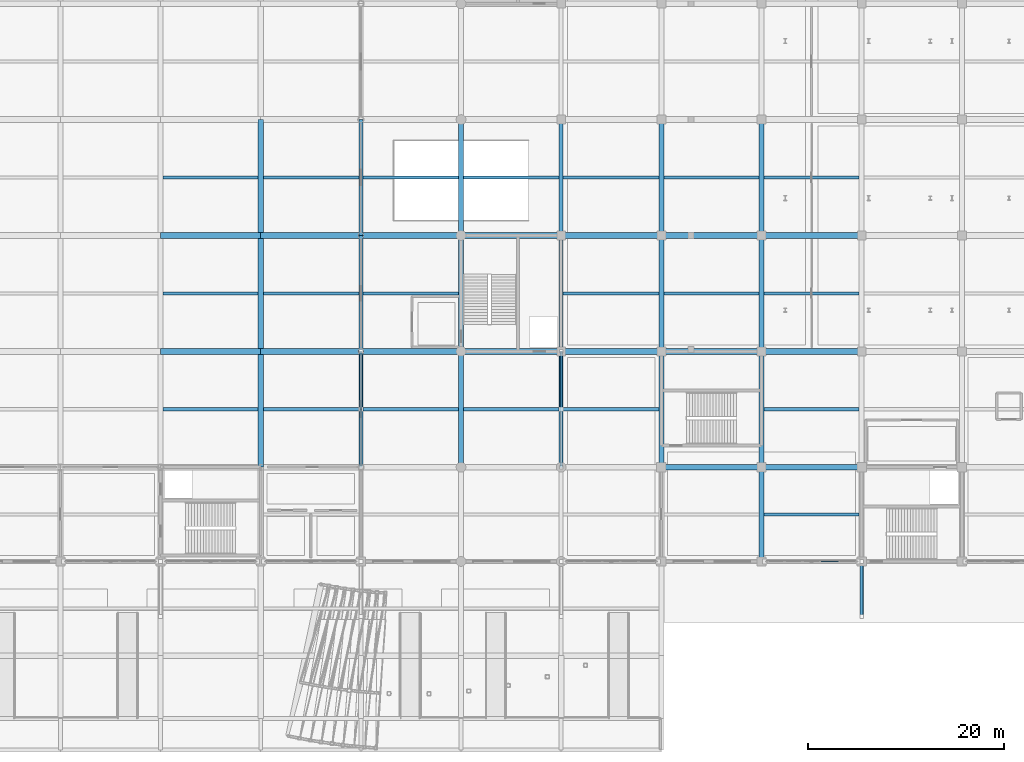
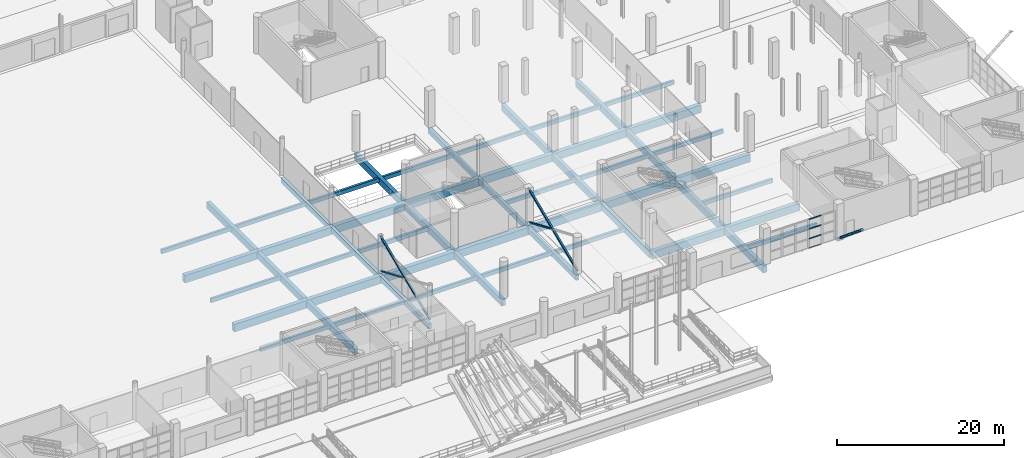
# One storey, part 57 of 124: 55 beams, 9 members, 1 element without a shape of its own.
"""IFC4 building model written with IfcOpenShell, lengths in metres."""

from ifc_helpers import new_model, si_unit, direction, frame, origin, origin_2d, place, context, subcontext, project, spatial, rectangle, hollow_rectangle, hollow_circle, extrude, material, material_profile, profile_set, type_object, element, aggregate, save


model = new_model("IFC4")

# Units and contexts
model_context = context("Model", 3, precision=1e-05, world=origin(), true_north=direction((0.0, 1.0)))
body_context = subcontext(model_context, "Body", "Model", "MODEL_VIEW")
ifc_project = project(units=[si_unit("LENGTHUNIT", "METRE"), si_unit("AREAUNIT", "SQUARE_METRE"), si_unit("VOLUMEUNIT", "CUBIC_METRE"), si_unit("PLANEANGLEUNIT", "RADIAN"), si_unit("MASSUNIT", "GRAM", prefix="KILO")], contexts=[model_context])

# Site, building, storey
site_placement = place(None, origin())
site = spatial("IfcSite", under=ifc_project, at=site_placement, CompositionType="ELEMENT")
building_placement = place(site_placement, origin())
building = spatial("IfcBuilding", under=site, at=building_placement, Name="Brelvane Convention Centre", CompositionType="ELEMENT")
storey_placement = place(building_placement, origin())
storey = spatial("IfcBuildingStorey", under=building, at=storey_placement, Name="L00", CompositionType="ELEMENT", Elevation=0.0)

# Curtain wall, members
ifc_material_1 = material(Name="Anodised Aluminium Alloy 6063-T6", Category="aluminium")
curtain_wall_type = type_object("IfcCurtainWallType", Name="Curtain Wall CW-CONC", PredefinedType="USERDEFINED", material=ifc_material_1)
curtain_wall_placement = place(storey_placement, origin())
curtain_wall = element("IfcCurtainWall", 1, at=curtain_wall_placement, inside=storey, type_object=curtain_wall_type, Name="Curtain Wall CW-CONC L00-V1S-19", ObjectType="UNITISED", PredefinedType="USERDEFINED")
ifc_material_2 = material(Name="Anodised Aluminium Alloy 6063-T6", Category="aluminium")
ifc_material_profile_1 = material_profile(ifc_material_2, hollow_rectangle(XDim=0.080078125, YDim=0.179931640625, WallThickness=0.0048828125, InnerFilletRadius=0.0048828125, OuterFilletRadius=0.010009765625, at=origin_2d()), Name="ALU-T 180x80x5.0")
ifc_profile_set_1 = profile_set([ifc_material_profile_1], Name="Anodised Aluminium Alloy 6063-T6")
member_type_1 = type_object("IfcMemberType", Name="Curtain Transom CW-T1", PredefinedType="USERDEFINED", material=ifc_profile_set_1)
member_1_placement = place(storey_placement, frame((189.659912109375, 19.199951171875, 0.0400390625), z_axis=(1.0, 0.0, 0.0), x_axis=(0.0, 1.0, 0.0)))
member_1 = element("IfcMember", 2, at=member_1_placement, type_object=member_type_1, Name="CW-CONC transom 4.1", ObjectType="TRANSOM", PredefinedType="USERDEFINED", context=body_context, shape_type="SweptSolid", body=[
    extrude(hollow_rectangle(XDim=0.080078125, YDim=0.179931640625, WallThickness=0.0048828125, InnerFilletRadius=0.0048828125, OuterFilletRadius=0.010009765625, at=origin_2d()), origin(), (0.0, 0.0, 1.0), 1.760009765625),
])
member_2_placement = place(storey_placement, frame((189.659912109375, 19.199951171875, 1.433349609375), z_axis=(1.0, 0.0, 0.0), x_axis=(0.0, 1.0, 0.0)))
member_2 = element("IfcMember", 3, at=member_2_placement, type_object=member_type_1, Name="CW-CONC transom 4.2", ObjectType="TRANSOM", PredefinedType="USERDEFINED", context=body_context, shape_type="SweptSolid", body=[
    extrude(hollow_rectangle(XDim=0.080078125, YDim=0.179931640625, WallThickness=0.0048828125, InnerFilletRadius=0.0048828125, OuterFilletRadius=0.010009765625, at=origin_2d()), origin(), (0.0, 0.0, 1.0), 1.760009765625),
])
member_3_placement = place(storey_placement, frame((189.659912109375, 19.199951171875, 2.86669921875), z_axis=(1.0, 0.0, 0.0), x_axis=(0.0, 1.0, 0.0)))
member_3 = element("IfcMember", 4, at=member_3_placement, type_object=member_type_1, Name="CW-CONC transom 4.3", ObjectType="TRANSOM", PredefinedType="USERDEFINED", context=body_context, shape_type="SweptSolid", body=[
    extrude(hollow_rectangle(XDim=0.080078125, YDim=0.179931640625, WallThickness=0.0048828125, InnerFilletRadius=0.0048828125, OuterFilletRadius=0.010009765625, at=origin_2d()), origin(), (0.0, 0.0, 1.0), 1.760009765625),
])
member_4_placement = place(storey_placement, frame((189.659912109375, 19.199951171875, 4.260009765625), z_axis=(1.0, 0.0, 0.0), x_axis=(0.0, 1.0, 0.0)))
member_4 = element("IfcMember", 5, at=member_4_placement, type_object=member_type_1, Name="CW-CONC transom 4.4", ObjectType="TRANSOM", PredefinedType="USERDEFINED", context=body_context, shape_type="SweptSolid", body=[
    extrude(hollow_rectangle(XDim=0.080078125, YDim=0.179931640625, WallThickness=0.0048828125, InnerFilletRadius=0.0048828125, OuterFilletRadius=0.010009765625, at=origin_2d()), origin(), (0.0, 0.0, 1.0), 1.760009765625),
])
aggregate(curtain_wall, [member_1, member_2, member_3, member_4])

# Beams
ifc_material_3 = material(Name="Concrete M50", Category="concrete")
ifc_material_profile_2 = material_profile(ifc_material_3, rectangle(XDim=0.60009765625, YDim=1.10009765625, at=origin_2d()), Name="RC 600x1100")
ifc_profile_set_2 = profile_set([ifc_material_profile_2], Name="Concrete M50")
beam_type_1 = type_object("IfcBeamType", Name="RC Beam B-RC2 (RC 600x1100)", PredefinedType="BEAM", material=ifc_profile_set_2)
for number, where, z_axis, x_axis, name in (
    (6, (122.39990234375, 40.60009765625, -0.929931640625), (1.0, 0.0, 0.0), (0.0, 1.0, 0.0), "L00 Beam 13-14/E"),
    (7, (122.39990234375, 52.39990234375, -0.929931640625), (1.0, 0.0, 0.0), (0.0, 1.0, 0.0), "L00 Beam 13-14/F"),
):
    element("IfcBeam", number, at=place(storey_placement, frame(where, z_axis=z_axis, x_axis=x_axis)), inside=storey, type_object=beam_type_1, Name=name, PredefinedType="BEAM", context=body_context, shape_type="SweptSolid", body=[
        extrude(rectangle(XDim=0.60009765625, YDim=1.10009765625, at=origin_2d()), origin(), (0.0, 0.0, 1.0), 10.2001953125),
    ])
for number, where, z_axis, x_axis, name in (
    (8, (132.60009765625, 40.60009765625, -0.929931640625), (1.0, 0.0, 0.0), (0.0, 1.0, 0.0), "L00 Beam 14-15/E"),
    (9, (132.60009765625, 52.39990234375, -0.929931640625), (1.0, 0.0, 0.0), (0.0, 1.0, 0.0), "L00 Beam 14-15/F"),
    (10, (142.800048828125, 40.60009765625, -0.949951171875), (1.0, 0.0, 0.0), (0.0, 1.0, 0.0), "L00 Beam 15-16/E"),
    (11, (142.800048828125, 52.39990234375, -0.949951171875), (1.0, 0.0, 0.0), (0.0, 1.0, 0.0), "L00 Beam 15-16/F"),
    (12, (153.0, 40.60009765625, -0.949951171875), (1.0, 0.0, 0.0), (0.0, 1.0, 0.0), "L00 Beam 16-17/E"),
    (13, (153.0, 52.39990234375, -0.949951171875), (1.0, 0.0, 0.0), (0.0, 1.0, 0.0), "L00 Beam 16-17/F"),
    (14, (163.199951171875, 40.60009765625, -1.010009765625), (1.0, 0.0, 0.0), (0.0, 1.0, 0.0), "L00 Beam 17-18/E"),
    (15, (163.199951171875, 52.39990234375, -0.949951171875), (1.0, 0.0, 0.0), (0.0, 1.0, 0.0), "L00 Beam 17-18/F"),
):
    element("IfcBeam", number, at=place(storey_placement, frame(where, z_axis=z_axis, x_axis=x_axis)), inside=storey, type_object=beam_type_1, Name=name, PredefinedType="BEAM", context=body_context, shape_type="SweptSolid", body=[
        extrude(rectangle(XDim=0.60009765625, YDim=1.10009765625, at=origin_2d()), origin(), (0.0, 0.0, 1.0), 10.199951171875),
    ])
for number, where, z_axis, x_axis, name in (
    (16, (173.39990234375, 28.800048828125, -1.010009765625), (1.0, 0.0, 0.0), (0.0, 1.0, 0.0), "L00 Beam 18-19/D"),
    (17, (173.39990234375, 40.60009765625, -1.010009765625), (1.0, 0.0, 0.0), (0.0, 1.0, 0.0), "L00 Beam 18-19/E"),
    (18, (173.39990234375, 52.39990234375, -0.949951171875), (1.0, 0.0, 0.0), (0.0, 1.0, 0.0), "L00 Beam 18-19/F"),
):
    element("IfcBeam", number, at=place(storey_placement, frame(where, z_axis=z_axis, x_axis=x_axis)), inside=storey, type_object=beam_type_1, Name=name, PredefinedType="BEAM", context=body_context, shape_type="SweptSolid", body=[
        extrude(rectangle(XDim=0.60009765625, YDim=1.10009765625, at=origin_2d()), origin(), (0.0, 0.0, 1.0), 10.2001953125),
    ])
for number, where, z_axis, x_axis, name in (
    (19, (183.60009765625, 28.800048828125, -1.010009765625), (1.0, 0.0, 0.0), (0.0, 1.0, 0.0), "L00 Beam 19-20/D"),
    (20, (183.60009765625, 40.60009765625, -1.010009765625), (1.0, 0.0, 0.0), (0.0, 1.0, 0.0), "L00 Beam 19-20/E"),
    (21, (183.60009765625, 52.39990234375, -0.949951171875), (1.0, 0.0, 0.0), (0.0, 1.0, 0.0), "L00 Beam 19-20/F"),
):
    element("IfcBeam", number, at=place(storey_placement, frame(where, z_axis=z_axis, x_axis=x_axis)), inside=storey, type_object=beam_type_1, Name=name, PredefinedType="BEAM", context=body_context, shape_type="SweptSolid", body=[
        extrude(rectangle(XDim=0.60009765625, YDim=1.10009765625, at=origin_2d()), origin(), (0.0, 0.0, 1.0), 10.199951171875),
    ])
ifc_material_4 = material(Name="Concrete M50", Category="concrete")
ifc_material_profile_3 = material_profile(ifc_material_4, rectangle(XDim=0.52001953125, YDim=0.949951171875, at=origin_2d()), Name="RC 520x950")
ifc_profile_set_3 = profile_set([ifc_material_profile_3], Name="Concrete M50")
beam_type_2 = type_object("IfcBeamType", Name="RC Beam B-RC9 (RC 520x950)", PredefinedType="BEAM", material=ifc_profile_set_3)
beam_1_placement = place(storey_placement, frame((132.60009765625, 28.800048828125, -0.85498046875), z_axis=(0.0, 1.0, 0.0), x_axis=(-1.0, 0.0, 0.0)))
element("IfcBeam", 22, at=beam_1_placement, inside=storey, type_object=beam_type_2, Name="L00 Girder 14/D-E", PredefinedType="BEAM", context=body_context, shape_type="SweptSolid", body=[
    extrude(rectangle(XDim=0.52001953125, YDim=0.949951171875, at=origin_2d()), origin(), (0.0, 0.0, 1.0), 11.800048828125),
])
beam_2_placement = place(storey_placement, frame((132.60009765625, 40.60009765625, -0.85498046875), z_axis=(0.0, 1.0, 0.0), x_axis=(-1.0, 0.0, 0.0)))
element("IfcBeam", 23, at=beam_2_placement, inside=storey, type_object=beam_type_2, Name="L00 Girder 14/E-F", PredefinedType="BEAM", context=body_context, shape_type="SweptSolid", body=[
    extrude(rectangle(XDim=0.52001953125, YDim=0.949951171875, at=origin_2d()), origin(), (0.0, 0.0, 1.0), 11.7998046875),
])
for number, where, z_axis, x_axis, name in (
    (24, (132.60009765625, 52.39990234375, -0.85498046875), (0.0, 1.0, 0.0), (-1.0, 0.0, 0.0), "L00 Girder 14/F-G"),
    (25, (153.0, 28.800048828125, -0.875), (0.0, 1.0, 0.0), (-1.0, 0.0, 0.0), "L00 Girder 16/D-E"),
):
    element("IfcBeam", number, at=place(storey_placement, frame(where, z_axis=z_axis, x_axis=x_axis)), inside=storey, type_object=beam_type_2, Name=name, PredefinedType="BEAM", context=body_context, shape_type="SweptSolid", body=[
        extrude(rectangle(XDim=0.52001953125, YDim=0.949951171875, at=origin_2d()), origin(), (0.0, 0.0, 1.0), 11.800048828125),
    ])
beam_3_placement = place(storey_placement, frame((153.0, 40.60009765625, -0.875), z_axis=(0.0, 1.0, 0.0), x_axis=(-1.0, 0.0, 0.0)))
element("IfcBeam", 26, at=beam_3_placement, inside=storey, type_object=beam_type_2, Name="L00 Girder 16/E-F", PredefinedType="BEAM", context=body_context, shape_type="SweptSolid", body=[
    extrude(rectangle(XDim=0.52001953125, YDim=0.949951171875, at=origin_2d()), origin(), (0.0, 0.0, 1.0), 11.7998046875),
])
for number, where, z_axis, x_axis, name in (
    (27, (153.0, 52.39990234375, -0.875), (0.0, 1.0, 0.0), (-1.0, 0.0, 0.0), "L00 Girder 16/F-G"),
    (28, (173.39990234375, 28.800048828125, -0.93505859375), (0.0, 1.0, 0.0), (-1.0, 0.0, 0.0), "L00 Girder 18/D-E"),
):
    element("IfcBeam", number, at=place(storey_placement, frame(where, z_axis=z_axis, x_axis=x_axis)), inside=storey, type_object=beam_type_2, Name=name, PredefinedType="BEAM", context=body_context, shape_type="SweptSolid", body=[
        extrude(rectangle(XDim=0.52001953125, YDim=0.949951171875, at=origin_2d()), origin(), (0.0, 0.0, 1.0), 11.800048828125),
    ])
beam_4_placement = place(storey_placement, frame((173.39990234375, 40.60009765625, -0.875), z_axis=(0.0, 1.0, 0.0), x_axis=(-1.0, 0.0, 0.0)))
element("IfcBeam", 29, at=beam_4_placement, inside=storey, type_object=beam_type_2, Name="L00 Girder 18/E-F", PredefinedType="BEAM", context=body_context, shape_type="SweptSolid", body=[
    extrude(rectangle(XDim=0.52001953125, YDim=0.949951171875, at=origin_2d()), origin(), (0.0, 0.0, 1.0), 11.7998046875),
])
beam_5_placement = place(storey_placement, frame((173.39990234375, 52.39990234375, -0.875), z_axis=(0.0, 1.0, 0.0), x_axis=(-1.0, 0.0, 0.0)))
element("IfcBeam", 30, at=beam_5_placement, inside=storey, type_object=beam_type_2, Name="L00 Girder 18/F-G", PredefinedType="BEAM", context=body_context, shape_type="SweptSolid", body=[
    extrude(rectangle(XDim=0.52001953125, YDim=0.949951171875, at=origin_2d()), origin(), (0.0, 0.0, 1.0), 11.800048828125),
])
beam_6_placement = place(storey_placement, frame((183.60009765625, 19.199951171875, -0.93505859375), z_axis=(0.0, 1.0, 0.0), x_axis=(-1.0, 0.0, 0.0)))
element("IfcBeam", 31, at=beam_6_placement, inside=storey, type_object=beam_type_2, Name="L00 Girder 19/C-D", PredefinedType="BEAM", context=body_context, shape_type="SweptSolid", body=[
    extrude(rectangle(XDim=0.52001953125, YDim=0.949951171875, at=origin_2d()), origin(), (0.0, 0.0, 1.0), 9.60009765625),
])
beam_7_placement = place(storey_placement, frame((183.60009765625, 28.800048828125, -0.93505859375), z_axis=(0.0, 1.0, 0.0), x_axis=(-1.0, 0.0, 0.0)))
element("IfcBeam", 32, at=beam_7_placement, inside=storey, type_object=beam_type_2, Name="L00 Girder 19/D-E", PredefinedType="BEAM", context=body_context, shape_type="SweptSolid", body=[
    extrude(rectangle(XDim=0.52001953125, YDim=0.949951171875, at=origin_2d()), origin(), (0.0, 0.0, 1.0), 11.800048828125),
])
beam_8_placement = place(storey_placement, frame((183.60009765625, 40.60009765625, -0.875), z_axis=(0.0, 1.0, 0.0), x_axis=(-1.0, 0.0, 0.0)))
element("IfcBeam", 33, at=beam_8_placement, inside=storey, type_object=beam_type_2, Name="L00 Girder 19/E-F", PredefinedType="BEAM", context=body_context, shape_type="SweptSolid", body=[
    extrude(rectangle(XDim=0.52001953125, YDim=0.949951171875, at=origin_2d()), origin(), (0.0, 0.0, 1.0), 11.7998046875),
])
beam_9_placement = place(storey_placement, frame((183.60009765625, 52.39990234375, -0.875), z_axis=(0.0, 1.0, 0.0), x_axis=(-1.0, 0.0, 0.0)))
element("IfcBeam", 34, at=beam_9_placement, inside=storey, type_object=beam_type_2, Name="L00 Girder 19/F-G", PredefinedType="BEAM", context=body_context, shape_type="SweptSolid", body=[
    extrude(rectangle(XDim=0.52001953125, YDim=0.949951171875, at=origin_2d()), origin(), (0.0, 0.0, 1.0), 11.800048828125),
])
ifc_material_5 = material(Name="Concrete M40", Category="concrete")
ifc_material_profile_4 = material_profile(ifc_material_5, rectangle(XDim=0.320068359375, YDim=0.580078125, at=origin_2d()), Name="RC 320x580")
ifc_profile_set_4 = profile_set([ifc_material_profile_4], Name="Concrete M40")
beam_type_3 = type_object("IfcBeamType", Name="RC Joist J-RC3 (RC 320x580)", PredefinedType="JOIST", material=ifc_profile_set_4)
for number, where, z_axis, x_axis, name in (
    (35, (122.659912109375, 34.699951171875, -0.669921875), (1.0, 0.0, 0.0), (0.0, 1.0, 0.0), "L00 Secondary Joist 13-14/DE"),
    (36, (122.659912109375, 46.5, -0.669921875), (1.0, 0.0, 0.0), (0.0, 1.0, 0.0), "L00 Secondary Joist 13-14/EF"),
    (37, (122.659912109375, 58.300048828125, -0.669921875), (1.0, 0.0, 0.0), (0.0, 1.0, 0.0), "L00 Secondary Joist 13-14/FG"),
):
    element("IfcBeam", number, at=place(storey_placement, frame(where, z_axis=z_axis, x_axis=x_axis)), inside=storey, type_object=beam_type_3, Name=name, PredefinedType="JOIST", context=body_context, shape_type="SweptSolid", body=[
        extrude(rectangle(XDim=0.320068359375, YDim=0.580078125, at=origin_2d()), origin(), (0.0, 0.0, 1.0), 9.68017578125),
    ])
for number, where, z_axis, x_axis, name in (
    (38, (132.860107421875, 34.699951171875, -0.669921875), (1.0, 0.0, 0.0), (0.0, 1.0, 0.0), "L00 Secondary Joist 14-15/DE"),
    (39, (132.860107421875, 46.5, -0.669921875), (1.0, 0.0, 0.0), (0.0, 1.0, 0.0), "L00 Secondary Joist 14-15/EF"),
    (40, (132.860107421875, 58.300048828125, -0.669921875), (1.0, 0.0, 0.0), (0.0, 1.0, 0.0), "L00 Secondary Joist 14-15/FG"),
    (41, (143.0, 34.699951171875, -0.68994140625), (1.0, 0.0, 0.0), (0.0, 1.0, 0.0), "L00 Secondary Joist 15-16/DE"),
    (42, (143.0, 46.5, -0.68994140625), (1.0, 0.0, 0.0), (0.0, 1.0, 0.0), "L00 Secondary Joist 15-16/EF"),
    (43, (143.0, 58.300048828125, -0.68994140625), (1.0, 0.0, 0.0), (0.0, 1.0, 0.0), "L00 Secondary Joist 15-16/FG"),
    (44, (153.260009765625, 34.699951171875, -0.68994140625), (1.0, 0.0, 0.0), (0.0, 1.0, 0.0), "L00 Secondary Joist 16-17/DE"),
    (45, (153.260009765625, 58.300048828125, -0.68994140625), (1.0, 0.0, 0.0), (0.0, 1.0, 0.0), "L00 Secondary Joist 16-17/FG"),
    (46, (163.39990234375, 34.699951171875, -0.75), (1.0, 0.0, 0.0), (0.0, 1.0, 0.0), "L00 Secondary Joist 17-18/DE"),
    (47, (163.39990234375, 46.5, -0.68994140625), (1.0, 0.0, 0.0), (0.0, 1.0, 0.0), "L00 Secondary Joist 17-18/EF"),
    (48, (163.39990234375, 58.300048828125, -0.68994140625), (1.0, 0.0, 0.0), (0.0, 1.0, 0.0), "L00 Secondary Joist 17-18/FG"),
):
    element("IfcBeam", number, at=place(storey_placement, frame(where, z_axis=z_axis, x_axis=x_axis)), inside=storey, type_object=beam_type_3, Name=name, PredefinedType="JOIST", context=body_context, shape_type="SweptSolid", body=[
        extrude(rectangle(XDim=0.320068359375, YDim=0.580078125, at=origin_2d()), origin(), (0.0, 0.0, 1.0), 9.739990234375),
    ])
for number, where, z_axis, x_axis, name in (
    (49, (173.659912109375, 46.5, -0.68994140625), (1.0, 0.0, 0.0), (0.0, 1.0, 0.0), "L00 Secondary Joist 18-19/EF"),
    (50, (173.659912109375, 58.300048828125, -0.68994140625), (1.0, 0.0, 0.0), (0.0, 1.0, 0.0), "L00 Secondary Joist 18-19/FG"),
):
    element("IfcBeam", number, at=place(storey_placement, frame(where, z_axis=z_axis, x_axis=x_axis)), inside=storey, type_object=beam_type_3, Name=name, PredefinedType="JOIST", context=body_context, shape_type="SweptSolid", body=[
        extrude(rectangle(XDim=0.320068359375, YDim=0.580078125, at=origin_2d()), origin(), (0.0, 0.0, 1.0), 9.68017578125),
    ])
for number, where, z_axis, x_axis, name in (
    (51, (183.860107421875, 24.0, -0.75), (1.0, 0.0, 0.0), (0.0, 1.0, 0.0), "L00 Secondary Joist 19-20/CD"),
    (52, (183.860107421875, 34.699951171875, -0.75), (1.0, 0.0, 0.0), (0.0, 1.0, 0.0), "L00 Secondary Joist 19-20/DE"),
    (53, (183.860107421875, 46.5, -0.68994140625), (1.0, 0.0, 0.0), (0.0, 1.0, 0.0), "L00 Secondary Joist 19-20/EF"),
    (54, (183.860107421875, 58.300048828125, -0.68994140625), (1.0, 0.0, 0.0), (0.0, 1.0, 0.0), "L00 Secondary Joist 19-20/FG"),
):
    element("IfcBeam", number, at=place(storey_placement, frame(where, z_axis=z_axis, x_axis=x_axis)), inside=storey, type_object=beam_type_3, Name=name, PredefinedType="JOIST", context=body_context, shape_type="SweptSolid", body=[
        extrude(rectangle(XDim=0.320068359375, YDim=0.580078125, at=origin_2d()), origin(), (0.0, 0.0, 1.0), 9.679931640625),
    ])
ifc_material_6 = material(Name="Concrete M40", Category="concrete")
ifc_material_profile_5 = material_profile(ifc_material_6, rectangle(XDim=0.39990234375, YDim=0.75, at=origin_2d()), Name="RC 400x750")
ifc_profile_set_5 = profile_set([ifc_material_profile_5], Name="Concrete M40")
beam_type_4 = type_object("IfcBeamType", Name="RC Spandrel SP-RC1 (RC 400x750)", PredefinedType="SPANDREL", material=ifc_profile_set_5)
beam_10_placement = place(storey_placement, frame((142.800048828125, 28.800048828125, -0.77490234375), z_axis=(0.0, 1.0, 0.0), x_axis=(-1.0, 0.0, 0.0)))
element("IfcBeam", 55, at=beam_10_placement, inside=storey, type_object=beam_type_4, Name="L00 Girder 15/D-E", PredefinedType="SPANDREL", context=body_context, shape_type="SweptSolid", body=[
    extrude(rectangle(XDim=0.39990234375, YDim=0.75, at=origin_2d()), origin(), (0.0, 0.0, 1.0), 11.800048828125),
])
beam_11_placement = place(storey_placement, frame((142.800048828125, 40.60009765625, -0.77490234375), z_axis=(0.0, 1.0, 0.0), x_axis=(-1.0, 0.0, 0.0)))
element("IfcBeam", 56, at=beam_11_placement, inside=storey, type_object=beam_type_4, Name="L00 Girder 15/E-F", PredefinedType="SPANDREL", context=body_context, shape_type="SweptSolid", body=[
    extrude(rectangle(XDim=0.39990234375, YDim=0.75, at=origin_2d()), origin(), (0.0, 0.0, 1.0), 11.7998046875),
])
for number, where, z_axis, x_axis, name in (
    (57, (142.800048828125, 52.39990234375, -0.77490234375), (0.0, 1.0, 0.0), (-1.0, 0.0, 0.0), "L00 Girder 15/F-G"),
    (58, (163.199951171875, 28.800048828125, -0.8349609375), (0.0, 1.0, 0.0), (-1.0, 0.0, 0.0), "L00 Girder 17/D-E"),
):
    element("IfcBeam", number, at=place(storey_placement, frame(where, z_axis=z_axis, x_axis=x_axis)), inside=storey, type_object=beam_type_4, Name=name, PredefinedType="SPANDREL", context=body_context, shape_type="SweptSolid", body=[
        extrude(rectangle(XDim=0.39990234375, YDim=0.75, at=origin_2d()), origin(), (0.0, 0.0, 1.0), 11.800048828125),
    ])
beam_12_placement = place(storey_placement, frame((163.199951171875, 40.60009765625, -0.77490234375), z_axis=(0.0, 1.0, 0.0), x_axis=(-1.0, 0.0, 0.0)))
element("IfcBeam", 59, at=beam_12_placement, inside=storey, type_object=beam_type_4, Name="L00 Girder 17/E-F", PredefinedType="SPANDREL", context=body_context, shape_type="SweptSolid", body=[
    extrude(rectangle(XDim=0.39990234375, YDim=0.75, at=origin_2d()), origin(), (0.0, 0.0, 1.0), 11.7998046875),
])
beam_13_placement = place(storey_placement, frame((163.199951171875, 52.39990234375, -0.77490234375), z_axis=(0.0, 1.0, 0.0), x_axis=(-1.0, 0.0, 0.0)))
element("IfcBeam", 60, at=beam_13_placement, inside=storey, type_object=beam_type_4, Name="L00 Girder 17/F-G", PredefinedType="SPANDREL", context=body_context, shape_type="SweptSolid", body=[
    extrude(rectangle(XDim=0.39990234375, YDim=0.75, at=origin_2d()), origin(), (0.0, 0.0, 1.0), 11.800048828125),
])

# Members
ifc_material_7 = material(Name="Steel E350 (350 MPa)", Category="steel")
ifc_material_profile_6 = material_profile(ifc_material_7, hollow_rectangle(XDim=0.25, YDim=0.25, WallThickness=0.012451171875, InnerFilletRadius=0.012451171875, OuterFilletRadius=0.02490234375, at=origin_2d()), Name="SHS 250x250x12.5")
ifc_profile_set_6 = profile_set([ifc_material_profile_6], Name="Steel E350 (350 MPa)")
member_type_2 = type_object("IfcMemberType", Name="Steel Brace BR-ST2 (SHS 250x250x12.5)", PredefinedType="BRACE", material=ifc_profile_set_6)
for number, where, z_axis, x_axis, name in (
    (61, (142.800048828125, 28.800048828125, 0.199951171875), (0.0, 0.920752300623, 0.390147665503), (-1.0, 0.0, 0.0), "Lateral X-Brace Continuous V1E-1-L00-A"),
    (62, (163.199951171875, 28.800048828125, 0.199951171875), (0.0, 0.920752300623, 0.390147665503), (-1.0, 0.0, 0.0), "Lateral X-Brace Continuous V2W-1-L00-A"),
):
    element("IfcMember", number, at=place(storey_placement, frame(where, z_axis=z_axis, x_axis=x_axis)), inside=storey, type_object=member_type_2, Name=name, PredefinedType="BRACE", context=body_context, shape_type="SweptSolid", body=[
        extrude(hollow_rectangle(XDim=0.25, YDim=0.25, WallThickness=0.012451171875, InnerFilletRadius=0.012451171875, OuterFilletRadius=0.02490234375, at=origin_2d()), origin(), (0.0, 0.0, 1.0), 12.815673828125),
    ])
ifc_material_8 = material(Name="Steel E350 (350 MPa)", Category="steel")
ifc_material_profile_7 = material_profile(ifc_material_8, hollow_rectangle(XDim=0.199951171875, YDim=0.199951171875, WallThickness=0.010009765625, InnerFilletRadius=0.010009765625, OuterFilletRadius=0.02001953125, at=origin_2d()), Name="SHS 200x200x10.0")
ifc_profile_set_7 = profile_set([ifc_material_profile_7], Name="Steel E350 (350 MPa)")
member_type_3 = type_object("IfcMemberType", Name="Steel Brace BR-ST3 (SHS 200x200x10.0)", PredefinedType="BRACE", material=ifc_profile_set_7)
for number, where, z_axis, x_axis, name in (
    (63, (142.800048828125, 40.60009765625, 0.199951171875), (0.0, -0.920755200274, 0.390140822229), (1.0, 0.0, 0.0), "Lateral X-Brace Split Lower V1E-1-L00-B1"),
    (64, (163.199951171875, 40.60009765625, 0.199951171875), (0.0, -0.920755200274, 0.390140822229), (1.0, 0.0, 0.0), "Lateral X-Brace Split Lower V2W-1-L00-B1"),
):
    element("IfcMember", number, at=place(storey_placement, frame(where, z_axis=z_axis, x_axis=x_axis)), inside=storey, type_object=member_type_3, Name=name, PredefinedType="BRACE", context=body_context, shape_type="SweptSolid", body=[
        extrude(hollow_rectangle(XDim=0.199951171875, YDim=0.199951171875, WallThickness=0.010009765625, InnerFilletRadius=0.010009765625, OuterFilletRadius=0.02001953125, at=origin_2d()), origin(), (0.0, 0.0, 1.0), 6.407958984375),
    ])
ifc_material_9 = material(Name="Steel E450 (450 MPa)", Category="steel")
ifc_material_profile_8 = material_profile(ifc_material_9, hollow_circle(Radius=0.177734375, WallThickness=0.01611328125, at=origin_2d()), Name="CHS 355.6x16.0")
ifc_profile_set_8 = profile_set([ifc_material_profile_8], Name="Steel E450 (450 MPa)")
member_type_4 = type_object("IfcMemberType", Name="Steel Strut HS-ST1 (CHS 355.6x16.0)", PredefinedType="STRUT", material=ifc_profile_set_8)
member_5_placement = place(storey_placement, frame((193.800048828125, 19.199951171875, 0.050048828125), z_axis=(0.0, -0.770696995363, 0.637201805819), x_axis=(1.0, 0.0, 0.0)))
element("IfcMember", 65, at=member_5_placement, inside=storey, type_object=member_type_4, Name="Hull Overhang Raked Strut L00 V1-20", PredefinedType="STRUT", context=body_context, shape_type="SweptSolid", body=[
    extrude(hollow_circle(Radius=0.177734375, WallThickness=0.01611328125, at=origin_2d()), origin(), (0.0, 0.0, 1.0), 7.265869140625),
])

save(model, "model.ifc")
